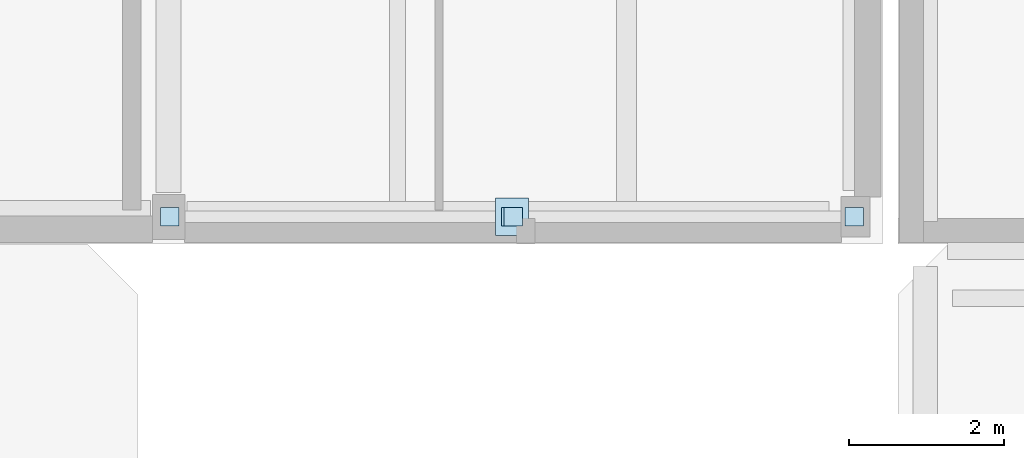
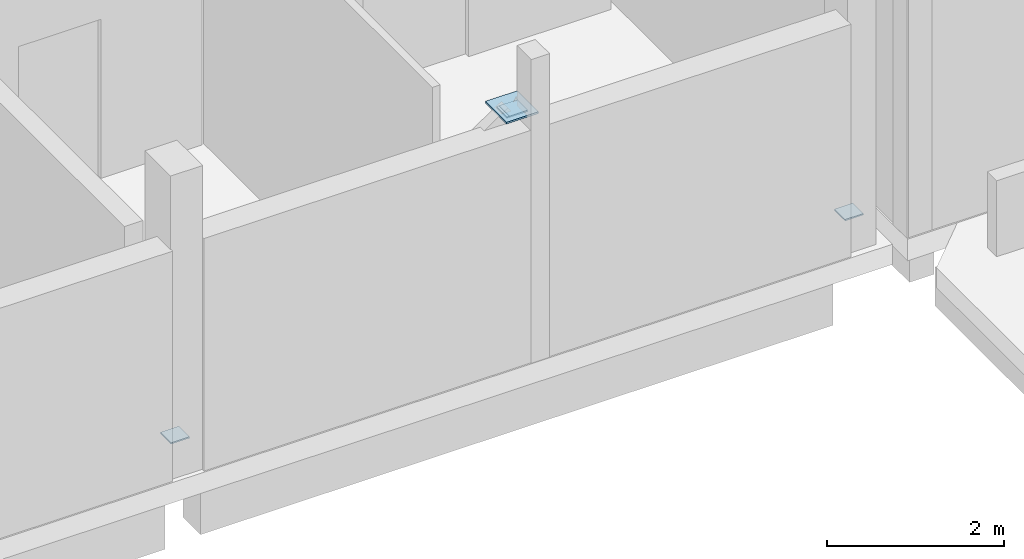
# One storey, part 37 of 66: 5 plates.
"""IFC4 building model written with IfcOpenShell, lengths in metres."""

from ifc_helpers import new_model, si_unit, direction, frame, origin, origin_2d, place, context, subcontext, project, spatial, rectangle, extrude, material, layer, layer_set, type_object, element, save


model = new_model("IFC4")

# Units and contexts
model_context = context("Model", 3, precision=1e-05, world=origin(), true_north=direction((0.0, 1.0)))
body_context = subcontext(model_context, "Body", "Model", "MODEL_VIEW")
ifc_project = project(units=[si_unit("LENGTHUNIT", "METRE"), si_unit("AREAUNIT", "SQUARE_METRE"), si_unit("VOLUMEUNIT", "CUBIC_METRE"), si_unit("PLANEANGLEUNIT", "RADIAN"), si_unit("MASSUNIT", "GRAM", prefix="KILO")], contexts=[model_context])

# Site, building, storey
site_placement = place(None, origin())
site = spatial("IfcSite", under=ifc_project, at=site_placement, CompositionType="ELEMENT")
building_placement = place(site_placement, origin())
building = spatial("IfcBuilding", under=site, at=building_placement, Name="Birchvale Park Specialist Clinic", CompositionType="ELEMENT")
storey_placement = place(building_placement, frame((0.0, 0.0, 5.39990234375)))
storey = spatial("IfcBuildingStorey", under=building, at=storey_placement, Name="L01", CompositionType="ELEMENT", Elevation=5.39990234375)

# Plates
ifc_material = material(Name="Steel ASTM A572 Grade 50", Category="steel")
ifc_layer_1 = layer(ifc_material, 0.02001953125)
ifc_layer_set_1 = layer_set([ifc_layer_1], Name="Steel ASTM A572 Grade 50")
plate_type_1 = type_object("IfcPlateType", Name="PLT-EC6", PredefinedType="USERDEFINED", material=ifc_layer_set_1)
for number, where, z_axis, x_axis, name in (
    (1, (109.41650390625, 17.14990234375, 0.351318359375), (0.0, 0.0, 1.0), (1.0, 0.0, 0.0), "V4 L01 brace sealed cap plate 4.1.1"),
    (2, (113.808349609375, 17.14990234375, 3.31884765625), (0.0, 0.0, 1.0), (1.0, 0.0, 0.0), "V4 L01 brace sealed cap plate 4.1.2"),
    (3, (118.2333984375, 17.14990234375, 0.351318359375), (0.0, 0.0, 1.0), (1.0, 0.0, 0.0), "V4 L01 brace sealed cap plate 4.2.1"),
    (4, (113.841552734375, 17.14990234375, 3.31884765625), (0.0, 0.0, 1.0), (1.0, 0.0, 0.0), "V4 L01 brace sealed cap plate 4.2.2"),
):
    element("IfcPlate", number, at=place(storey_placement, frame(where, z_axis=z_axis, x_axis=x_axis)), inside=storey, type_object=plate_type_1, Name=name, ObjectType="BASE_PLATE", PredefinedType="USERDEFINED", context=body_context, shape_type="SweptSolid", body=[
        extrude(rectangle(XDim=0.239990234375, YDim=0.239990234375, at=origin_2d()), origin(), (0.0, 0.0, 1.0), 0.02001953125),
    ])
ifc_layer_2 = layer(ifc_material, 0.02392578125)
ifc_layer_set_2 = layer_set([ifc_layer_2], Name="Steel ASTM A572 Grade 50")
plate_type_2 = type_object("IfcPlateType", Name="PLT-KN1", PredefinedType="USERDEFINED", material=ifc_layer_set_2)
plate_placement = place(storey_placement, frame((113.824951171875, 17.14990234375, 3.340087890625), z_axis=(0.0, 0.0, 1.0), x_axis=(1.0, 0.0, 0.0)))
element("IfcPlate", 5, at=plate_placement, inside=storey, type_object=plate_type_2, Name="V4 L01 braced-frame apex gusset plate KN1-4", ObjectType="GUSSET_PLATE", PredefinedType="USERDEFINED", context=body_context, shape_type="SweptSolid", body=[
    extrude(rectangle(XDim=0.419921875, YDim=0.47998046875, at=origin_2d()), origin(), (0.0, 0.0, 1.0), 0.02392578125),
])

save(model, "model.ifc")
